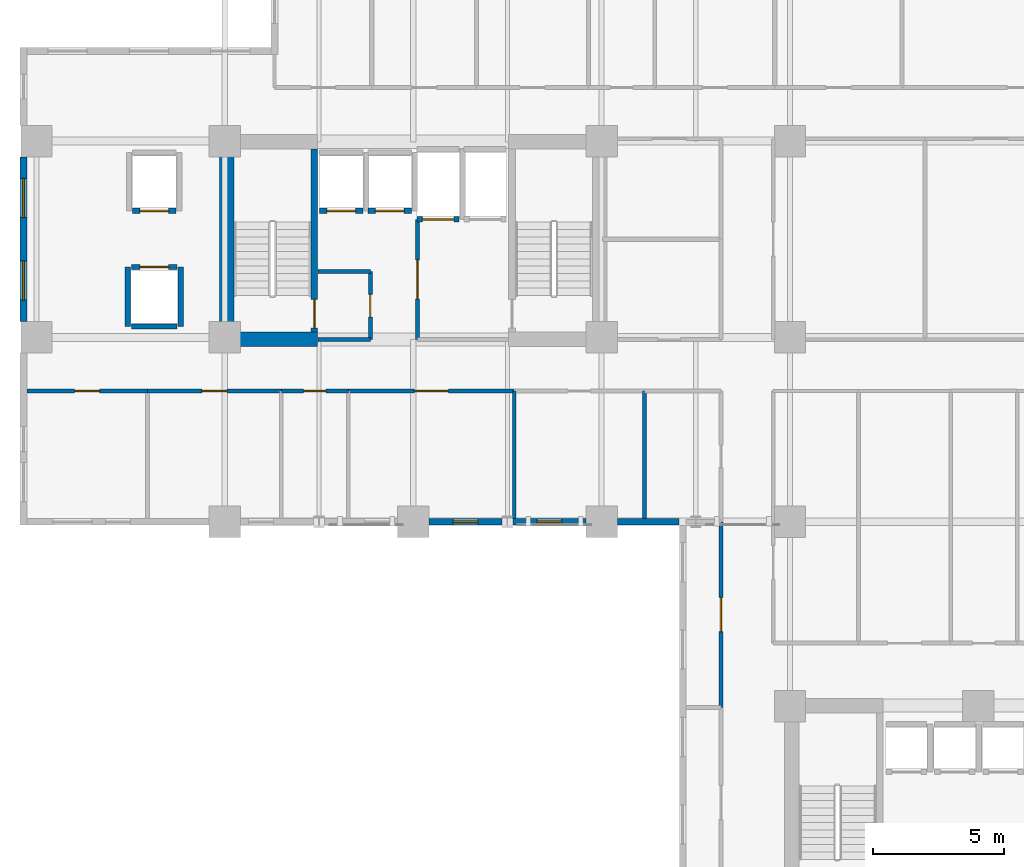
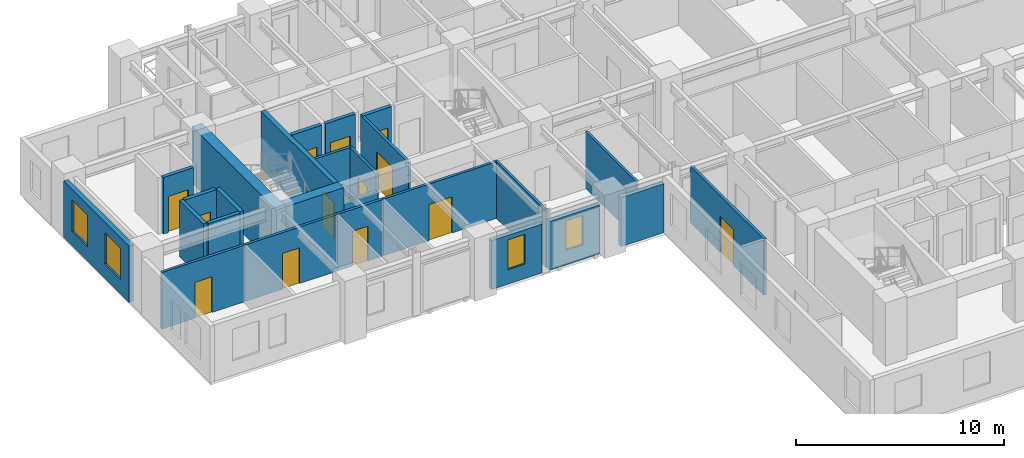
# One storey, part 3 of 11: 26 walls, 13 doors, 4 windows, 17 openings.
"""IFC4 building model written with IfcOpenShell, lengths in metres."""

from ifc_helpers import new_model, si_unit, direction, frame, frame_2d, origin, place, context, subcontext, project, spatial, rectangle, extrude, material, layer, layer_set, type_object, element, fill, save


model = new_model("IFC4")

# Units and contexts
model_context = context("Model", 3, precision=1e-05, world=origin(), true_north=direction((0.0, 1.0)))
body_context = subcontext(model_context, "Body", "Model", "MODEL_VIEW")
ifc_project = project(units=[si_unit("LENGTHUNIT", "METRE"), si_unit("AREAUNIT", "SQUARE_METRE"), si_unit("VOLUMEUNIT", "CUBIC_METRE"), si_unit("PLANEANGLEUNIT", "RADIAN"), si_unit("MASSUNIT", "GRAM", prefix="KILO")], contexts=[model_context])

# Site, building, storey
site_placement = place(None, origin())
site = spatial("IfcSite", under=ifc_project, at=site_placement, CompositionType="ELEMENT")
building_placement = place(site_placement, origin())
building = spatial("IfcBuilding", under=site, at=building_placement, Name="Kaliganga Portal Commons", CompositionType="ELEMENT")
storey_placement = place(building_placement, frame((0.0, 0.0, 126.699951171875)))
storey = spatial("IfcBuildingStorey", under=building, at=storey_placement, Name="L32", CompositionType="ELEMENT", Elevation=126.699951171875)

# Walls
ifc_material_1 = material(Name="Concrete C60/75", Category="concrete")
ifc_layer_1 = layer(ifc_material_1, 0.550048828125)
ifc_layer_set_1 = layer_set([ifc_layer_1], Name="Concrete C60/75")
wall_type_1 = type_object("IfcWallType", Name="WL-CORE-550", PredefinedType="SHEAR", material=ifc_layer_set_1)
wall_1_placement = place(storey_placement, frame((14.47509765625, 28.300048828125, 0.0), z_axis=(0.0, 0.0, 1.0), x_axis=(0.0, 1.0, 0.0)))
element("IfcWall", 1, at=wall_1_placement, inside=storey, type_object=wall_type_1, Name="Core A West Shear Wall L32", PredefinedType="SHEAR", context=body_context, shape_type="SweptSolid", body=[
    extrude(rectangle(XDim=8.099853515625, YDim=0.550048828125, at=frame_2d((4.0498046875, 0.0))), origin(), (0.0, 0.0, 1.0), 3.340087890625),
])
wall_2_placement = place(storey_placement, frame((14.75, 28.574951171875, 0.0), z_axis=(0.0, 0.0, 1.0), x_axis=(1.0, 0.0, 0.0)))
element("IfcWall", 2, at=wall_2_placement, inside=storey, type_object=wall_type_1, Name="Core A S-West Shear Wall L32", PredefinedType="SHEAR", context=body_context, shape_type="SweptSolid", body=[
    extrude(rectangle(XDim=3.199951171875, YDim=0.550048828125, at=frame_2d((1.60009765625, 0.0))), origin(), (0.0, 0.0, 1.0), 3.340087890625),
])

# Wall, openings, windows
ifc_material_2 = material(Name="Insulated Aluminium-Clad Spandrel Assembly", Category="aluminium")
ifc_layer_2 = layer(ifc_material_2, 0.260009765625)
ifc_layer_set_2 = layer_set([ifc_layer_2], Name="Insulated Aluminium-Clad Spandrel Assembly")
wall_type_2 = type_object("IfcWallType", Name="WL-EXT-SPAND-260", PredefinedType="STANDARD", material=ifc_layer_set_2)
wall_3_placement = place(storey_placement, frame((6.699951171875, 29.2509765625, 0.0), z_axis=(0.0, 0.0, 1.0), x_axis=(0.0, 1.0, 0.0)))
wall_3 = element("IfcWall", 3, at=wall_3_placement, inside=storey, type_object=wall_type_2, Name="Exterior Envelope Wall L32 P1-E09-S2", PredefinedType="STANDARD", context=body_context, shape_type="SweptSolid", body=[
    extrude(rectangle(XDim=6.298095703125, YDim=0.260009765625, at=frame_2d((3.14892578125, 0.0))), origin(), (0.0, 0.0, 1.0), 3.320068359375),
])
opening_1_placement = place(wall_3_placement, frame((0.824462890625, 0.0, 0.85009765625)))
opening_1 = element("IfcOpeningElement", 4, at=opening_1_placement, cuts=wall_3, Name="Opening W-02", PredefinedType="OPENING", context=body_context, shape_type="SweptSolid", body=[
    extrude(rectangle(XDim=1.5, YDim=1.85009765625, at=frame_2d((0.75, 0.925048828125))), frame((0.0, 0.14013671875, 0.0), z_axis=(0.0, -1.0, 0.0), x_axis=(1.0, 0.0, 0.0)), (0.0, 0.0, 1.0), 0.280029296875),
])
opening_2_placement = place(wall_3_placement, frame((3.973388671875, 0.0, 0.85009765625)))
opening_2 = element("IfcOpeningElement", 5, at=opening_2_placement, cuts=wall_3, Name="Opening W-02", PredefinedType="OPENING", context=body_context, shape_type="SweptSolid", body=[
    extrude(rectangle(XDim=1.5, YDim=1.85009765625, at=frame_2d((0.75, 0.925048828125))), frame((0.0, 0.14013671875, 0.0), z_axis=(0.0, -1.0, 0.0), x_axis=(1.0, 0.0, 0.0)), (0.0, 0.0, 1.0), 0.280029296875),
])
ifc_material_3 = material(Name="Thermally Broken Aluminium and Low-E Double Glazing", Category="aluminium")
window_type_1 = type_object("IfcWindowType", Name="WIN-STD-1500", PartitioningType="DOUBLE_PANEL_VERTICAL", PredefinedType="WINDOW", material=ifc_material_3)
window_1_placement = place(opening_1_placement, origin())
window_1 = element("IfcWindow", 6, at=window_1_placement, inside=storey, type_object=window_type_1, Name="Facade Window L32-P1E09S2-00", OverallHeight=1.85009765625, OverallWidth=1.5, PartitioningType="SINGLE_PANEL", PredefinedType="WINDOW", context=body_context, shape_type="SweptSolid", body=[
    extrude(rectangle(XDim=1.5, YDim=1.85009765625, at=frame_2d((0.75, 0.925048828125))), frame((0.0, 0.030029296875, 0.0), z_axis=(0.0, -1.0, 0.0), x_axis=(1.0, 0.0, 0.0)), (0.0, 0.0, 1.0), 0.06005859375),
])
fill(opening_1, window_1)
window_2_placement = place(opening_2_placement, origin())
window_2 = element("IfcWindow", 7, at=window_2_placement, inside=storey, type_object=window_type_1, Name="Facade Window L32-P1E09S2-01", OverallHeight=1.85009765625, OverallWidth=1.5, PartitioningType="SINGLE_PANEL", PredefinedType="WINDOW", context=body_context, shape_type="SweptSolid", body=[
    extrude(rectangle(XDim=1.5, YDim=1.85009765625, at=frame_2d((0.75, 0.925048828125))), frame((0.0, 0.030029296875, 0.0), z_axis=(0.0, -1.0, 0.0), x_axis=(1.0, 0.0, 0.0)), (0.0, 0.0, 1.0), 0.06005859375),
])
fill(opening_2, window_2)

# Wall, opening, window
wall_4_placement = place(storey_placement, frame((24.994384765625, 21.60009765625, 0.0), z_axis=(0.0, 0.0, 1.0), x_axis=(-1.0, 0.0, 0.0)))
wall_4 = element("IfcWall", 8, at=wall_4_placement, inside=storey, type_object=wall_type_2, Name="Exterior Envelope Wall L32 P1-E10-S4", PredefinedType="STANDARD", context=body_context, shape_type="SweptSolid", body=[
    extrude(rectangle(XDim=2.79345703125, YDim=0.260009765625, at=frame_2d((1.396728515625, 0.0))), origin(), (0.0, 0.0, 1.0), 2.8701171875),
])
opening_3_placement = place(wall_4_placement, frame((0.921630859375, 0.0, 0.85009765625)))
opening_3 = element("IfcOpeningElement", 9, at=opening_3_placement, cuts=wall_4, Name="Opening W-04", PredefinedType="OPENING", context=body_context, shape_type="SweptSolid", body=[
    extrude(rectangle(XDim=0.949951171875, YDim=1.75, at=frame_2d((0.47509765625, 0.875))), frame((0.0, 0.14013671875, 0.0), z_axis=(0.0, -1.0, 0.0), x_axis=(1.0, 0.0, 0.0)), (0.0, 0.0, 1.0), 0.280029296875),
])
window_type_2 = type_object("IfcWindowType", Name="WIN-NARROW-950", PartitioningType="SINGLE_PANEL", PredefinedType="WINDOW", material=ifc_material_3)
window_3_placement = place(opening_3_placement, origin())
window_3 = element("IfcWindow", 10, at=window_3_placement, inside=storey, type_object=window_type_2, Name="Facade Window L32-P1E10S4-00", OverallHeight=1.75, OverallWidth=0.949951171875, PartitioningType="SINGLE_PANEL", PredefinedType="WINDOW", context=body_context, shape_type="SweptSolid", body=[
    extrude(rectangle(XDim=0.949951171875, YDim=1.75, at=frame_2d((0.47509765625, 0.875))), frame((0.0, 0.030029296875, 0.0), z_axis=(0.0, -1.0, 0.0), x_axis=(1.0, 0.0, 0.0)), (0.0, 0.0, 1.0), 0.06005859375),
])
fill(opening_3, window_3)

wall_5_placement = place(storey_placement, frame((28.198974609375, 21.60009765625, 0.0), z_axis=(0.0, 0.0, 1.0), x_axis=(-1.0, 0.0, 0.0)))
wall_5 = element("IfcWall", 11, at=wall_5_placement, inside=storey, type_object=wall_type_2, Name="Exterior Envelope Wall L32 P1-E10-S5", PredefinedType="STANDARD", context=body_context, shape_type="SweptSolid", body=[
    extrude(rectangle(XDim=2.79345703125, YDim=0.260009765625, at=frame_2d((1.396728515625, 0.0))), origin(), (0.0, 0.0, 1.0), 2.8701171875),
])
opening_4_placement = place(wall_5_placement, frame((0.921875, 0.0, 0.85009765625)))
opening_4 = element("IfcOpeningElement", 12, at=opening_4_placement, cuts=wall_5, Name="Opening W-04", PredefinedType="OPENING", context=body_context, shape_type="SweptSolid", body=[
    extrude(rectangle(XDim=0.949951171875, YDim=1.75, at=frame_2d((0.47509765625, 0.875))), frame((0.0, 0.14013671875, 0.0), z_axis=(0.0, -1.0, 0.0), x_axis=(1.0, 0.0, 0.0)), (0.0, 0.0, 1.0), 0.280029296875),
])
window_4_placement = place(opening_4_placement, origin())
window_4 = element("IfcWindow", 13, at=window_4_placement, inside=storey, type_object=window_type_2, Name="Facade Window L32-P1E10S5-00", OverallHeight=1.75, OverallWidth=0.949951171875, PartitioningType="SINGLE_PANEL", PredefinedType="WINDOW", context=body_context, shape_type="SweptSolid", body=[
    extrude(rectangle(XDim=0.949951171875, YDim=1.75, at=frame_2d((0.47509765625, 0.875))), frame((0.0, 0.030029296875, 0.0), z_axis=(0.0, -1.0, 0.0), x_axis=(1.0, 0.0, 0.0)), (0.0, 0.0, 1.0), 0.06005859375),
])
fill(opening_4, window_4)

# Wall
wall_6_placement = place(storey_placement, frame((31.764892578125, 21.60009765625, 0.0), z_axis=(0.0, 0.0, 1.0), x_axis=(-1.0, 0.0, 0.0)))
element("IfcWall", 14, at=wall_6_placement, inside=storey, type_object=wall_type_2, Name="Exterior Envelope Wall L32 P1-E10-S6", PredefinedType="STANDARD", context=body_context, shape_type="SweptSolid", body=[
    extrude(rectangle(XDim=2.364013671875, YDim=0.260009765625, at=frame_2d((1.18212890625, 0.0))), origin(), (0.0, 0.0, 1.0), 2.8701171875),
])

# Wall, opening, door
ifc_material_4 = material(Name="Fire-Rated Gypsum Board on Steel Stud", Category="steel")
ifc_layer_3 = layer(ifc_material_4, 0.14990234375)
ifc_layer_set_3 = layer_set([ifc_layer_3], Name="Fire-Rated Gypsum Board on Steel Stud")
wall_type_3 = type_object("IfcWallType", Name="WL-PART-CORR-150", PredefinedType="PARTITIONING", material=ifc_layer_set_3)
wall_7_placement = place(storey_placement, frame((33.360107421875, 14.5, 0.0), z_axis=(0.0, 0.0, 1.0), x_axis=(0.0, 1.0, 0.0)))
wall_7 = element("IfcWall", 15, at=wall_7_placement, inside=storey, type_object=wall_type_3, Name="Interior Partition L32-011", PredefinedType="PARTITIONING", context=body_context, shape_type="SweptSolid", body=[
    extrude(rectangle(XDim=7.10009765625, YDim=0.14990234375, at=frame_2d((3.550048828125, 0.0))), origin(), (0.0, 0.0, 1.0), 3.320068359375),
])
opening_5_placement = place(wall_7_placement, frame((2.89990234375, 0.0, 0.0)))
opening_5 = element("IfcOpeningElement", 16, at=opening_5_placement, cuts=wall_7, Name="Opening RD-03", PredefinedType="OPENING", context=body_context, shape_type="SweptSolid", body=[
    extrude(rectangle(XDim=1.300048828125, YDim=2.1201171875, at=frame_2d((0.64990234375, 1.06005859375))), frame((0.0, 0.0849609375, 0.0), z_axis=(0.0, -1.0, 0.0), x_axis=(1.0, 0.0, 0.0)), (0.0, 0.0, 1.0), 0.169921875),
])
ifc_material_5 = material(Name="Glazed Timber Seminar Vision Door", Category="wood")
door_type_1 = type_object("IfcDoorType", Name="DR-STUDY-1300", OperationType="DOUBLE_DOOR_SINGLE_SWING", PredefinedType="DOOR", material=ifc_material_5)
door_1_placement = place(opening_5_placement, origin())
door_1 = element("IfcDoor", 17, at=door_1_placement, inside=storey, type_object=door_type_1, Name="Interior Door L32-KW02", OperationType="DOUBLE_DOOR_SINGLE_SWING", OverallHeight=2.1201171875, OverallWidth=1.300048828125, PredefinedType="DOOR", context=body_context, shape_type="SweptSolid", body=[
    extrude(rectangle(XDim=1.300048828125, YDim=2.1201171875, at=frame_2d((0.64990234375, 1.06005859375))), frame((0.0, 0.02490234375, 0.0), z_axis=(0.0, -1.0, 0.0), x_axis=(1.0, 0.0, 0.0)), (0.0, 0.0, 1.0), 0.050048828125),
])
fill(opening_5, door_1)

wall_8_placement = place(storey_placement, frame((19.1201171875, 26.60009765625, 0.0), z_axis=(0.0, 0.0, 1.0), x_axis=(1.0, 0.0, 0.0)))
wall_8 = element("IfcWall", 18, at=wall_8_placement, inside=storey, type_object=wall_type_3, Name="Interior Partition L32-012", PredefinedType="PARTITIONING", context=body_context, shape_type="SweptSolid", body=[
    extrude(rectangle(XDim=6.33984375, YDim=0.14990234375, at=frame_2d((3.169921875, 0.0))), origin(), (0.0, 0.0, 1.0), 3.320068359375),
])
opening_6_placement = place(wall_8_placement, frame((2.52001953125, 0.0, 0.0)))
opening_6 = element("IfcOpeningElement", 19, at=opening_6_placement, cuts=wall_8, Name="Opening RD-03", PredefinedType="OPENING", context=body_context, shape_type="SweptSolid", body=[
    extrude(rectangle(XDim=1.300048828125, YDim=2.1201171875, at=frame_2d((0.64990234375, 1.06005859375))), frame((0.0, 0.0849609375, 0.0), z_axis=(0.0, -1.0, 0.0), x_axis=(1.0, 0.0, 0.0)), (0.0, 0.0, 1.0), 0.169921875),
])
door_2_placement = place(opening_6_placement, origin())
door_2 = element("IfcDoor", 20, at=door_2_placement, inside=storey, type_object=door_type_1, Name="Interior Door L32-AS04", OperationType="DOUBLE_DOOR_SINGLE_SWING", OverallHeight=2.1201171875, OverallWidth=1.300048828125, PredefinedType="DOOR", context=body_context, shape_type="SweptSolid", body=[
    extrude(rectangle(XDim=1.300048828125, YDim=2.1201171875, at=frame_2d((0.64990234375, 1.06005859375))), frame((0.0, 0.02490234375, 0.0), z_axis=(0.0, -1.0, 0.0), x_axis=(1.0, 0.0, 0.0)), (0.0, 0.0, 1.0), 0.050048828125),
])
fill(opening_6, door_2)

wall_9_placement = place(storey_placement, frame((11.43994140625, 26.60009765625, 0.0), z_axis=(0.0, 0.0, 1.0), x_axis=(1.0, 0.0, 0.0)))
wall_9 = element("IfcWall", 21, at=wall_9_placement, inside=storey, type_object=wall_type_3, Name="Interior Partition L32-015", PredefinedType="PARTITIONING", context=body_context, shape_type="SweptSolid", body=[
    extrude(rectangle(XDim=5.1201171875, YDim=0.14990234375, at=frame_2d((2.56005859375, 0.0))), origin(), (0.0, 0.0, 1.0), 3.320068359375),
])
opening_7_placement = place(wall_9_placement, frame((2.0849609375, 0.0, 0.0)))
opening_7 = element("IfcOpeningElement", 22, at=opening_7_placement, cuts=wall_9, Name="Opening UD-01", PredefinedType="OPENING", context=body_context, shape_type="SweptSolid", body=[
    extrude(rectangle(XDim=0.949951171875, YDim=2.10009765625, at=frame_2d((0.47509765625, 1.050048828125))), frame((0.0, 0.0849609375, 0.0), z_axis=(0.0, -1.0, 0.0), x_axis=(1.0, 0.0, 0.0)), (0.0, 0.0, 1.0), 0.169921875),
])
ifc_material_6 = material(Name="Solid-Core Timber Acoustic Fire Door", Category="wood")
door_type_2 = type_object("IfcDoorType", Name="DR-UNIT-950", OperationType="NOTDEFINED", PredefinedType="DOOR", material=ifc_material_6)
door_3_placement = place(opening_7_placement, origin())
door_3 = element("IfcDoor", 23, at=door_3_placement, inside=storey, type_object=door_type_2, Name="Interior Door L32-AS02", OperationType="SINGLE_SWING_RIGHT", OverallHeight=2.10009765625, OverallWidth=0.949951171875, PredefinedType="DOOR", context=body_context, shape_type="SweptSolid", body=[
    extrude(rectangle(XDim=0.949951171875, YDim=2.10009765625, at=frame_2d((0.47509765625, 1.050048828125))), frame((0.0, 0.02490234375, 0.0), z_axis=(0.0, -1.0, 0.0), x_axis=(1.0, 0.0, 0.0)), (0.0, 0.0, 1.0), 0.050048828125),
])
fill(opening_7, door_3)

wall_10_placement = place(storey_placement, frame((6.83203125, 26.60009765625, 0.0), z_axis=(0.0, 0.0, 1.0), x_axis=(1.0, 0.0, 0.0)))
wall_10 = element("IfcWall", 24, at=wall_10_placement, inside=storey, type_object=wall_type_3, Name="Interior Partition L32-022", PredefinedType="PARTITIONING", context=body_context, shape_type="SweptSolid", body=[
    extrude(rectangle(XDim=4.60791015625, YDim=0.14990234375, at=frame_2d((2.303955078125, 0.0))), origin(), (0.0, 0.0, 1.0), 3.320068359375),
])
opening_8_placement = place(wall_10_placement, frame((1.8291015625, 0.0, 0.0)))
opening_8 = element("IfcOpeningElement", 25, at=opening_8_placement, cuts=wall_10, Name="Opening UD-01", PredefinedType="OPENING", context=body_context, shape_type="SweptSolid", body=[
    extrude(rectangle(XDim=0.949951171875, YDim=2.10009765625, at=frame_2d((0.47509765625, 1.050048828125))), frame((0.0, 0.0849609375, 0.0), z_axis=(0.0, -1.0, 0.0), x_axis=(1.0, 0.0, 0.0)), (0.0, 0.0, 1.0), 0.169921875),
])
door_4_placement = place(opening_8_placement, origin())
door_4 = element("IfcDoor", 26, at=door_4_placement, inside=storey, type_object=door_type_2, Name="Interior Door L32-AS01", OperationType="SINGLE_SWING_RIGHT", OverallHeight=2.10009765625, OverallWidth=0.949951171875, PredefinedType="DOOR", context=body_context, shape_type="SweptSolid", body=[
    extrude(rectangle(XDim=0.949951171875, YDim=2.10009765625, at=frame_2d((0.47509765625, 1.050048828125))), frame((0.0, 0.02490234375, 0.0), z_axis=(0.0, -1.0, 0.0), x_axis=(1.0, 0.0, 0.0)), (0.0, 0.0, 1.0), 0.050048828125),
])
fill(opening_8, door_4)

wall_11_placement = place(storey_placement, frame((19.9599609375, 28.56005859375, 0.0), z_axis=(0.0, 0.0, 1.0), x_axis=(0.0, 1.0, 0.0)))
wall_11 = element("IfcWall", 27, at=wall_11_placement, inside=storey, type_object=wall_type_3, Name="Interior Partition L32-035", PredefinedType="PARTITIONING", context=body_context, shape_type="SweptSolid", body=[
    extrude(rectangle(XDim=2.599853515625, YDim=0.14990234375, at=frame_2d((1.2998046875, 0.0))), origin(), (0.0, 0.0, 1.0), 3.320068359375),
])
opening_9_placement = place(wall_11_placement, frame((0.8701171875, 0.0, 0.0)))
opening_9 = element("IfcOpeningElement", 28, at=opening_9_placement, cuts=wall_11, Name="Opening WD-02", PredefinedType="OPENING", context=body_context, shape_type="SweptSolid", body=[
    extrude(rectangle(XDim=0.860107421875, YDim=2.02001953125, at=frame_2d((0.43017578125, 1.010009765625))), frame((0.0, 0.0849609375, 0.0), z_axis=(0.0, -1.0, 0.0), x_axis=(1.0, 0.0, 0.0)), (0.0, 0.0, 1.0), 0.169921875),
])
ifc_material_7 = material(Name="Fire-Rated Utility Closet Door", Category="wood")
door_type_3 = type_object("IfcDoorType", Name="DR-STORE-800", OperationType="NOTDEFINED", PredefinedType="DOOR", material=ifc_material_7)
door_5_placement = place(opening_9_placement, origin())
door_5 = element("IfcDoor", 29, at=door_5_placement, inside=storey, type_object=door_type_3, Name="Interior Door L32-CIN_A1", OperationType="SINGLE_SWING_LEFT", OverallHeight=2.02001953125, OverallWidth=0.860107421875, PredefinedType="DOOR", context=body_context, shape_type="SweptSolid", body=[
    extrude(rectangle(XDim=0.860107421875, YDim=2.02001953125, at=frame_2d((0.43017578125, 1.010009765625))), frame((0.0, 0.02490234375, 0.0), z_axis=(0.0, -1.0, 0.0), x_axis=(1.0, 0.0, 0.0)), (0.0, 0.0, 1.0), 0.050048828125),
])
fill(opening_9, door_5)

wall_12_placement = place(storey_placement, frame((16.56005859375, 26.60009765625, 0.0), z_axis=(0.0, 0.0, 1.0), x_axis=(1.0, 0.0, 0.0)))
wall_12 = element("IfcWall", 30, at=wall_12_placement, inside=storey, type_object=wall_type_3, Name="Interior Partition L32-036", PredefinedType="PARTITIONING", context=body_context, shape_type="SweptSolid", body=[
    extrude(rectangle(XDim=2.56005859375, YDim=0.14990234375, at=frame_2d((1.280029296875, 0.0))), origin(), (0.0, 0.0, 1.0), 3.320068359375),
])
opening_10_placement = place(wall_12_placement, frame((0.85498046875, 0.0, 0.0)))
opening_10 = element("IfcOpeningElement", 31, at=opening_10_placement, cuts=wall_12, Name="Opening WD-01", PredefinedType="OPENING", context=body_context, shape_type="SweptSolid", body=[
    extrude(rectangle(XDim=0.85009765625, YDim=2.0400390625, at=frame_2d((0.425048828125, 1.02001953125))), frame((0.0, 0.0849609375, 0.0), z_axis=(0.0, -1.0, 0.0), x_axis=(1.0, 0.0, 0.0)), (0.0, 0.0, 1.0), 0.169921875),
])
ifc_material_8 = material(Name="Moisture-Resistant Laminate Timber Door", Category="wood")
door_type_4 = type_object("IfcDoorType", Name="DR-WET-850", OperationType="NOTDEFINED", PredefinedType="DOOR", material=ifc_material_8)
door_6_placement = place(opening_10_placement, origin())
door_6 = element("IfcDoor", 32, at=door_6_placement, inside=storey, type_object=door_type_4, Name="Interior Door L32-AS03", OperationType="SINGLE_SWING_RIGHT", OverallHeight=2.0400390625, OverallWidth=0.85009765625, PredefinedType="DOOR", context=body_context, shape_type="SweptSolid", body=[
    extrude(rectangle(XDim=0.85009765625, YDim=2.0400390625, at=frame_2d((0.425048828125, 1.02001953125))), frame((0.0, 0.02490234375, 0.0), z_axis=(0.0, -1.0, 0.0), x_axis=(1.0, 0.0, 0.0)), (0.0, 0.0, 1.0), 0.050048828125),
])
fill(opening_10, door_6)

# Walls
wall_13_placement = place(storey_placement, frame((17.9599609375, 28.56005859375, 0.0), z_axis=(0.0, 0.0, 1.0), x_axis=(1.0, 0.0, 0.0)))
element("IfcWall", 33, at=wall_13_placement, inside=storey, type_object=wall_type_3, Name="Interior Partition L32-039", PredefinedType="PARTITIONING", context=body_context, shape_type="SweptSolid", body=[
    extrude(rectangle(XDim=2.0, YDim=0.14990234375, at=frame_2d((1.0, 0.0))), origin(), (0.0, 0.0, 1.0), 2.320068359375),
])
wall_14_placement = place(storey_placement, frame((17.9599609375, 31.159912109375, 0.0), z_axis=(0.0, 0.0, 1.0), x_axis=(1.0, 0.0, 0.0)))
element("IfcWall", 34, at=wall_14_placement, inside=storey, type_object=wall_type_3, Name="Interior Partition L32-040", PredefinedType="PARTITIONING", context=body_context, shape_type="SweptSolid", body=[
    extrude(rectangle(XDim=2.0, YDim=0.14990234375, at=frame_2d((1.0, 0.0))), origin(), (0.0, 0.0, 1.0), 3.320068359375),
])

# Wall, opening, door
wall_15_placement = place(storey_placement, frame((21.760009765625, 28.56005859375, 0.0), z_axis=(0.0, 0.0, 1.0), x_axis=(0.0, 1.0, 0.0)))
wall_15 = element("IfcWall", 35, at=wall_15_placement, inside=storey, type_object=wall_type_3, Name="Interior Partition L32-073", PredefinedType="PARTITIONING", context=body_context, shape_type="SweptSolid", body=[
    extrude(rectangle(XDim=4.599853515625, YDim=0.14990234375, at=frame_2d((2.2998046875, 0.0))), origin(), (0.0, 0.0, 1.0), 3.320068359375),
])
opening_11_placement = place(wall_15_placement, frame((1.550048828125, 0.0, 0.0)))
opening_11 = element("IfcOpeningElement", 36, at=opening_11_placement, cuts=wall_15, Name="Opening FD-01", PredefinedType="OPENING", context=body_context, shape_type="SweptSolid", body=[
    extrude(rectangle(XDim=1.5, YDim=2.10009765625, at=frame_2d((0.75, 1.050048828125))), frame((0.0, 0.0849609375, 0.0), z_axis=(0.0, -1.0, 0.0), x_axis=(1.0, 0.0, 0.0)), (0.0, 0.0, 1.0), 0.169921875),
])
ifc_material_9 = material(Name="Fire-Rated Hardwood and Georgian-Wired Vision Panel", Category="wood")
door_type_5 = type_object("IfcDoorType", Name="DR-LOBBY-1500", OperationType="DOUBLE_DOOR_SINGLE_SWING", PredefinedType="DOOR", material=ifc_material_9)
door_7_placement = place(opening_11_placement, origin())
door_7 = element("IfcDoor", 37, at=door_7_placement, inside=storey, type_object=door_type_5, Name="Interior Door L32-FFLOB_A", OperationType="DOUBLE_DOOR_SINGLE_SWING", OverallHeight=2.10009765625, OverallWidth=1.5, PredefinedType="DOOR", context=body_context, shape_type="SweptSolid", body=[
    extrude(rectangle(XDim=1.5, YDim=2.10009765625, at=frame_2d((0.75, 1.050048828125))), frame((0.0, 0.02490234375, 0.0), z_axis=(0.0, -1.0, 0.0), x_axis=(1.0, 0.0, 0.0)), (0.0, 0.0, 1.0), 0.050048828125),
])
fill(opening_11, door_7)

# Walls
ifc_material_10 = material(Name="Cement-Board Wet-Room Partition", Category="gypsum")
ifc_layer_4 = layer(ifc_material_10, 0.135009765625)
ifc_layer_set_4 = layer_set([ifc_layer_4], Name="Cement-Board Wet-Room Partition")
wall_type_4 = type_object("IfcWallType", Name="WL-PART-WET-135", PredefinedType="PARTITIONING", material=ifc_layer_set_4)
for number, where, z_axis, x_axis, name in (
    (38, (25.4599609375, 21.73193359375, 0.0), (0.0, 0.0, 1.0), (0.0, 1.0, 0.0), "Interior Partition L32-062"),
    (39, (30.43994140625, 21.73193359375, 0.0), (0.0, 0.0, 1.0), (0.0, 1.0, 0.0), "Interior Partition L32-064"),
):
    element("IfcWall", number, at=place(storey_placement, frame(where, z_axis=z_axis, x_axis=x_axis)), inside=storey, type_object=wall_type_4, Name=name, PredefinedType="PARTITIONING", context=body_context, shape_type="SweptSolid", body=[
        extrude(rectangle(XDim=4.8681640625, YDim=0.135009765625, at=frame_2d((2.43408203125, 0.0))), origin(), (0.0, 0.0, 1.0), 3.320068359375),
    ])

# Wall, opening, door
ifc_material_11 = material(Name="Fire-Rated Shaftwall Masonry Assembly", Category="masonry")
ifc_layer_5 = layer(ifc_material_11, 0.199951171875)
ifc_layer_set_5 = layer_set([ifc_layer_5], Name="Fire-Rated Shaftwall Masonry Assembly")
wall_type_5 = type_object("IfcWallType", Name="WL-SHAFT-200", PredefinedType="PARTITIONING", material=ifc_layer_set_5)
wall_16_placement = place(storey_placement, frame((18.02490234375, 33.485107421875, 0.0), z_axis=(0.0, 0.0, 1.0), x_axis=(1.0, 0.0, 0.0)))
wall_16 = element("IfcWall", 40, at=wall_16_placement, inside=storey, type_object=wall_type_5, Name="Lift PL-A1 Hoistway Shaft Wall L32-S", PredefinedType="PARTITIONING", context=body_context, shape_type="SweptSolid", body=[
    extrude(rectangle(XDim=1.650146484375, YDim=0.199951171875, at=frame_2d((0.8251953125, 0.0))), origin(), (0.0, 0.0, 1.0), 3.320068359375),
])
opening_12_placement = place(wall_16_placement, frame((0.27490234375, 0.0, 0.0)))
opening_12 = element("IfcOpeningElement", 41, at=opening_12_placement, cuts=wall_16, Name="Opening LD-01", PredefinedType="OPENING", context=body_context, shape_type="SweptSolid", body=[
    extrude(rectangle(XDim=1.10009765625, YDim=2.1201171875, at=frame_2d((0.550048828125, 1.06005859375))), frame((0.0, 0.10986328125, 0.0), z_axis=(0.0, -1.0, 0.0), x_axis=(1.0, 0.0, 0.0)), (0.0, 0.0, 1.0), 0.219970703125),
])
ifc_material_12 = material(Name="Brushed Stainless Steel 316 Lift Landing Door", Category="steel")
door_type_6 = type_object("IfcDoorType", Name="DR-LIFT-1100", OperationType="SLIDING_TO_LEFT", PredefinedType="DOOR", material=ifc_material_12)
door_8_placement = place(opening_12_placement, origin())
door_8 = element("IfcDoor", 42, at=door_8_placement, inside=storey, type_object=door_type_6, Name="Lift PL-A1 Sliding Landing Door L32", OperationType="SLIDING_TO_LEFT", OverallHeight=2.1201171875, OverallWidth=1.10009765625, PredefinedType="DOOR", context=body_context, shape_type="SweptSolid", body=[
    extrude(rectangle(XDim=1.10009765625, YDim=2.1201171875, at=frame_2d((0.550048828125, 1.06005859375))), frame((0.0, 0.02490234375, 0.0), z_axis=(0.0, -1.0, 0.0), x_axis=(1.0, 0.0, 0.0)), (0.0, 0.0, 1.0), 0.050048828125),
])
fill(opening_12, door_8)

wall_17_placement = place(storey_placement, frame((19.875, 33.485107421875, 0.0), z_axis=(0.0, 0.0, 1.0), x_axis=(1.0, 0.0, 0.0)))
wall_17 = element("IfcWall", 43, at=wall_17_placement, inside=storey, type_object=wall_type_5, Name="Lift PL-A2 Hoistway Shaft Wall L32-S", PredefinedType="PARTITIONING", context=body_context, shape_type="SweptSolid", body=[
    extrude(rectangle(XDim=1.64990234375, YDim=0.199951171875, at=frame_2d((0.824951171875, 0.0))), origin(), (0.0, 0.0, 1.0), 3.320068359375),
])
opening_13_placement = place(wall_17_placement, frame((0.27490234375, 0.0, 0.0)))
opening_13 = element("IfcOpeningElement", 44, at=opening_13_placement, cuts=wall_17, Name="Opening LD-01", PredefinedType="OPENING", context=body_context, shape_type="SweptSolid", body=[
    extrude(rectangle(XDim=1.10009765625, YDim=2.1201171875, at=frame_2d((0.550048828125, 1.06005859375))), frame((0.0, 0.10986328125, 0.0), z_axis=(0.0, -1.0, 0.0), x_axis=(1.0, 0.0, 0.0)), (0.0, 0.0, 1.0), 0.219970703125),
])
door_9_placement = place(opening_13_placement, origin())
door_9 = element("IfcDoor", 45, at=door_9_placement, inside=storey, type_object=door_type_6, Name="Lift PL-A2 Sliding Landing Door L32", OperationType="SLIDING_TO_LEFT", OverallHeight=2.1201171875, OverallWidth=1.10009765625, PredefinedType="DOOR", context=body_context, shape_type="SweptSolid", body=[
    extrude(rectangle(XDim=1.10009765625, YDim=2.1201171875, at=frame_2d((0.550048828125, 1.06005859375))), frame((0.0, 0.02490234375, 0.0), z_axis=(0.0, -1.0, 0.0), x_axis=(1.0, 0.0, 0.0)), (0.0, 0.0, 1.0), 0.050048828125),
])
fill(opening_13, door_9)

# Wall
wall_18_placement = place(storey_placement, frame((10.824951171875, 29.06005859375, 0.0), z_axis=(0.0, 0.0, 1.0), x_axis=(1.0, 0.0, 0.0)))
element("IfcWall", 46, at=wall_18_placement, inside=storey, type_object=wall_type_5, Name="Lift SH-1 Hoistway Shaft Wall L32-S", PredefinedType="PARTITIONING", context=body_context, shape_type="SweptSolid", body=[
    extrude(rectangle(XDim=1.75, YDim=0.199951171875, at=frame_2d((0.875, 0.0))), origin(), (0.0, 0.0, 1.0), 3.320068359375),
])

# Wall, opening, door
wall_19_placement = place(storey_placement, frame((10.824951171875, 31.340087890625, 0.0), z_axis=(0.0, 0.0, 1.0), x_axis=(1.0, 0.0, 0.0)))
wall_19 = element("IfcWall", 47, at=wall_19_placement, inside=storey, type_object=wall_type_5, Name="Lift SH-1 Hoistway Shaft Wall L32-N", PredefinedType="PARTITIONING", context=body_context, shape_type="SweptSolid", body=[
    extrude(rectangle(XDim=1.75, YDim=0.199951171875, at=frame_2d((0.875, 0.0))), origin(), (0.0, 0.0, 1.0), 3.320068359375),
])
opening_14_placement = place(wall_19_placement, frame((0.324951171875, 0.0, 0.0)))
opening_14 = element("IfcOpeningElement", 48, at=opening_14_placement, cuts=wall_19, Name="Opening LD-01", PredefinedType="OPENING", context=body_context, shape_type="SweptSolid", body=[
    extrude(rectangle(XDim=1.10009765625, YDim=2.1201171875, at=frame_2d((0.550048828125, 1.06005859375))), frame((0.0, 0.10986328125, 0.0), z_axis=(0.0, -1.0, 0.0), x_axis=(1.0, 0.0, 0.0)), (0.0, 0.0, 1.0), 0.219970703125),
])
door_10_placement = place(opening_14_placement, origin())
door_10 = element("IfcDoor", 49, at=door_10_placement, inside=storey, type_object=door_type_6, Name="Lift SH-1 Sliding Landing Door L32", OperationType="SLIDING_TO_LEFT", OverallHeight=2.1201171875, OverallWidth=1.10009765625, PredefinedType="DOOR", context=body_context, shape_type="SweptSolid", body=[
    extrude(rectangle(XDim=1.10009765625, YDim=2.1201171875, at=frame_2d((0.550048828125, 1.06005859375))), frame((0.0, 0.02490234375, 0.0), z_axis=(0.0, -1.0, 0.0), x_axis=(1.0, 0.0, 0.0)), (0.0, 0.0, 1.0), 0.050048828125),
])
fill(opening_14, door_10)

# Walls
for number, where, z_axis, x_axis, name in (
    (50, (10.68505859375, 29.06005859375, 0.0), (0.0, 0.0, 1.0), (0.0, 1.0, 0.0), "Lift SH-1 Hoistway Shaft Wall L32-W"),
    (51, (12.715087890625, 29.06005859375, 0.0), (0.0, 0.0, 1.0), (0.0, 1.0, 0.0), "Lift SH-1 Hoistway Shaft Wall L32-E"),
):
    element("IfcWall", number, at=place(storey_placement, frame(where, z_axis=z_axis, x_axis=x_axis)), inside=storey, type_object=wall_type_5, Name=name, PredefinedType="PARTITIONING", context=body_context, shape_type="SweptSolid", body=[
        extrude(rectangle(XDim=2.280029296875, YDim=0.199951171875, at=frame_2d((1.14013671875, 0.0))), origin(), (0.0, 0.0, 1.0), 3.320068359375),
    ])

# Wall, opening, door
wall_20_placement = place(storey_placement, frame((10.875, 33.485107421875, 0.0), z_axis=(0.0, 0.0, 1.0), x_axis=(1.0, 0.0, 0.0)))
wall_20 = element("IfcWall", 52, at=wall_20_placement, inside=storey, type_object=wall_type_5, Name="Lift PL-OBS Hoistway Shaft Wall L32-S", PredefinedType="PARTITIONING", context=body_context, shape_type="SweptSolid", body=[
    extrude(rectangle(XDim=1.64990234375, YDim=0.199951171875, at=frame_2d((0.824951171875, 0.0))), origin(), (0.0, 0.0, 1.0), 3.320068359375),
])
opening_15_placement = place(wall_20_placement, frame((0.27490234375, 0.0, 0.0)))
opening_15 = element("IfcOpeningElement", 53, at=opening_15_placement, cuts=wall_20, Name="Opening LD-01", PredefinedType="OPENING", context=body_context, shape_type="SweptSolid", body=[
    extrude(rectangle(XDim=1.10009765625, YDim=2.1201171875, at=frame_2d((0.550048828125, 1.06005859375))), frame((0.0, 0.10986328125, 0.0), z_axis=(0.0, -1.0, 0.0), x_axis=(1.0, 0.0, 0.0)), (0.0, 0.0, 1.0), 0.219970703125),
])
door_11_placement = place(opening_15_placement, origin())
door_11 = element("IfcDoor", 54, at=door_11_placement, inside=storey, type_object=door_type_6, Name="Lift PL-OBS Sliding Landing Door L32", OperationType="SLIDING_TO_LEFT", OverallHeight=2.1201171875, OverallWidth=1.10009765625, PredefinedType="DOOR", context=body_context, shape_type="SweptSolid", body=[
    extrude(rectangle(XDim=1.10009765625, YDim=2.1201171875, at=frame_2d((0.550048828125, 1.06005859375))), frame((0.0, 0.02490234375, 0.0), z_axis=(0.0, -1.0, 0.0), x_axis=(1.0, 0.0, 0.0)), (0.0, 0.0, 1.0), 0.050048828125),
])
fill(opening_15, door_11)

wall_21_placement = place(storey_placement, frame((21.75, 33.159912109375, 0.0), z_axis=(0.0, 0.0, 1.0), x_axis=(1.0, 0.0, 0.0)))
wall_21 = element("IfcWall", 55, at=wall_21_placement, inside=storey, type_object=wall_type_5, Name="Lift FFL-1 Hoistway Shaft Wall L32-S", PredefinedType="PARTITIONING", context=body_context, shape_type="SweptSolid", body=[
    extrude(rectangle(XDim=1.60009765625, YDim=0.199951171875, at=frame_2d((0.800048828125, 0.0))), origin(), (0.0, 0.0, 1.0), 3.320068359375),
])
opening_16_placement = place(wall_21_placement, frame((0.199951171875, 0.0, 0.0)))
opening_16 = element("IfcOpeningElement", 56, at=opening_16_placement, cuts=wall_21, Name="Opening LD-02", PredefinedType="OPENING", context=body_context, shape_type="SweptSolid", body=[
    extrude(rectangle(XDim=1.199951171875, YDim=2.1201171875, at=frame_2d((0.60009765625, 1.06005859375))), frame((0.0, 0.10986328125, 0.0), z_axis=(0.0, -1.0, 0.0), x_axis=(1.0, 0.0, 0.0)), (0.0, 0.0, 1.0), 0.219970703125),
])
ifc_material_13 = material(Name="Brushed Stainless Steel 316 Stretcher Lift Landing Door", Category="steel")
door_type_7 = type_object("IfcDoorType", Name="DR-LIFT-1200", OperationType="SLIDING_TO_RIGHT", PredefinedType="DOOR", material=ifc_material_13)
door_12_placement = place(opening_16_placement, origin())
door_12 = element("IfcDoor", 57, at=door_12_placement, inside=storey, type_object=door_type_7, Name="Lift FFL-1 Sliding Landing Door L32", OperationType="SLIDING_TO_RIGHT", OverallHeight=2.1201171875, OverallWidth=1.199951171875, PredefinedType="DOOR", context=body_context, shape_type="SweptSolid", body=[
    extrude(rectangle(XDim=1.199951171875, YDim=2.1201171875, at=frame_2d((0.60009765625, 1.06005859375))), frame((0.0, 0.02490234375, 0.0), z_axis=(0.0, -1.0, 0.0), x_axis=(1.0, 0.0, 0.0)), (0.0, 0.0, 1.0), 0.050048828125),
])
fill(opening_16, door_12)

ifc_material_14 = material(Name="Concrete C50/60", Category="concrete")
ifc_layer_6 = layer(ifc_material_14, 0.25)
ifc_layer_set_6 = layer_set([ifc_layer_6], Name="Concrete C50/60")
wall_type_6 = type_object("IfcWallType", Name="WL-STAIR-250", PredefinedType="SHEAR", material=ifc_layer_set_6)
wall_22_placement = place(storey_placement, frame((17.824951171875, 28.85009765625, 0.0), z_axis=(0.0, 0.0, 1.0), x_axis=(0.0, 1.0, 0.0)))
wall_22 = element("IfcWall", 58, at=wall_22_placement, inside=storey, type_object=wall_type_6, Name="Stair A1 Enclosure Shear Wall L32", PredefinedType="SHEAR", context=body_context, shape_type="SweptSolid", body=[
    extrude(rectangle(XDim=7.0, YDim=0.25, at=frame_2d((3.5, 0.0))), origin(), (0.0, 0.0, 1.0), 3.340087890625),
])
opening_17_placement = place(wall_22_placement, frame((0.14990234375, 0.0, 0.0)))
opening_17 = element("IfcOpeningElement", 59, at=opening_17_placement, cuts=wall_22, Name="Opening SD-01", PredefinedType="OPENING", context=body_context, shape_type="SweptSolid", body=[
    extrude(rectangle(XDim=1.10009765625, YDim=2.080078125, at=frame_2d((0.550048828125, 1.0400390625))), frame((0.0, 0.135009765625, 0.0), z_axis=(0.0, -1.0, 0.0), x_axis=(1.0, 0.0, 0.0)), (0.0, 0.0, 1.0), 0.27001953125),
])
ifc_material_15 = material(Name="Galvanized Steel Fire Door Leaf and Frame", Category="steel")
door_type_8 = type_object("IfcDoorType", Name="DR-STAIR-1100", OperationType="NOTDEFINED", PredefinedType="DOOR", material=ifc_material_15)
door_13_placement = place(opening_17_placement, origin())
door_13 = element("IfcDoor", 60, at=door_13_placement, inside=storey, type_object=door_type_8, Name="Protected Stair ST-A1 Fire Door L32", OperationType="SINGLE_SWING_RIGHT", OverallHeight=2.080078125, OverallWidth=1.10009765625, PredefinedType="DOOR", context=body_context, shape_type="SweptSolid", body=[
    extrude(rectangle(XDim=1.10009765625, YDim=2.080078125, at=frame_2d((0.550048828125, 1.0400390625))), frame((0.0, 0.02490234375, 0.0), z_axis=(0.0, -1.0, 0.0), x_axis=(1.0, 0.0, 0.0)), (0.0, 0.0, 1.0), 0.050048828125),
])
fill(opening_17, door_13)

save(model, "model.ifc")
